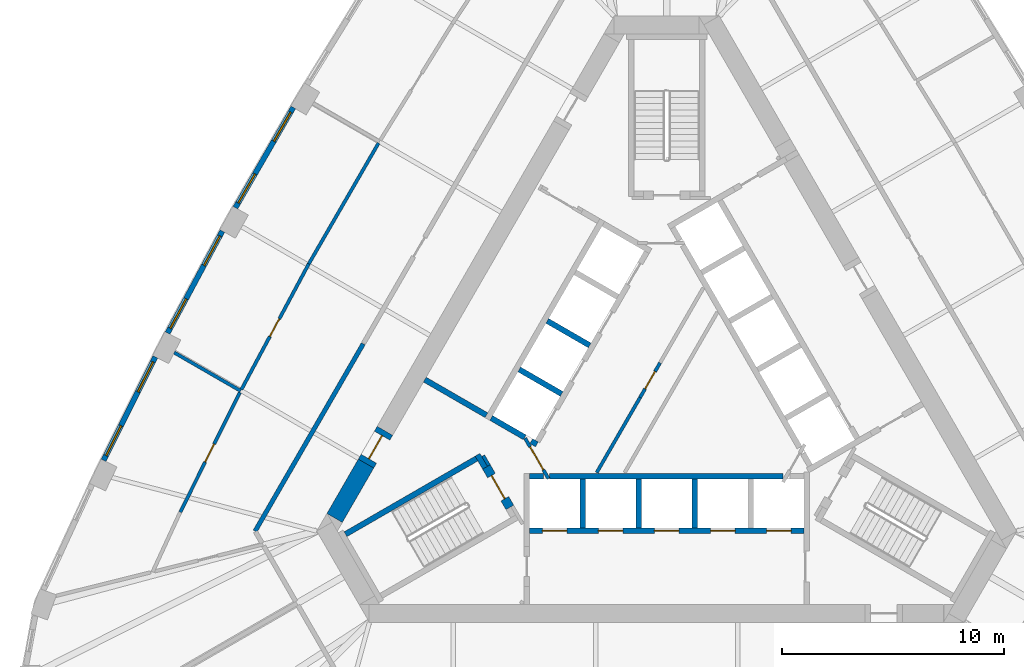
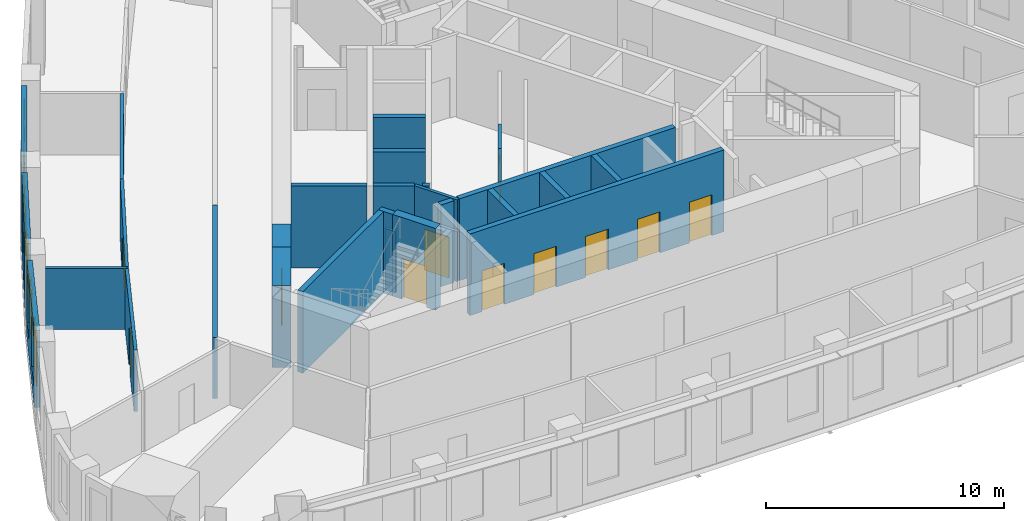
# One storey, part 4 of 10: 28 walls, 11 doors, 6 windows, 17 openings.
"""IFC4 building model written with IfcOpenShell, lengths in metres."""

import ifcopenshell
import ifcopenshell.guid

model = None  # the IFC model being written
_history = None  # IfcOwnerHistory: only IFC2X3 demands one
_inside = {}  # id of a spatial element -> (the spatial element, [elements in it])
_under = {}  # id of a project, library or spatial element -> (it, [spatial elements below it])
_declared = {}  # id of a project -> (the project, [libraries it declares])
_typed = {}  # id of a type object -> (the type object, [elements of that type])
_made_of = {}  # id of a material, layer set ... -> (it, [elements and type objects made of it])


def new_model(schema):
    """Start an empty IFC model of exactly this schema.

    Asked for "IFC4X3", IfcOpenShell would pick the latest addendum, in which some entities
    have other attributes; the version numbers below select the first issue.
    IFC2X3 requires an IfcOwnerHistory on every rooted entity: one is made here for all.
    """
    global model, _history
    if schema == "IFC4X3":
        model = ifcopenshell.file(schema_version=(4, 3, 0, 0))
    else:
        model = ifcopenshell.file(schema=schema)
    _inside.clear()
    _under.clear()
    _declared.clear()
    _typed.clear()
    _made_of.clear()
    _history = None
    if model.schema == "IFC2X3":
        org = make("IfcOrganization", Name="unknown")
        user = make(
            "IfcPersonAndOrganization",
            ThePerson=make("IfcPerson", FamilyName="unknown"),
            TheOrganization=org,
        )
        app = make(
            "IfcApplication",
            ApplicationDeveloper=org,
            Version="unknown",
            ApplicationFullName="unknown",
            ApplicationIdentifier="unknown",
        )
        _history = make(
            "IfcOwnerHistory",
            OwningUser=user,
            OwningApplication=app,
            ChangeAction="ADDED",
            CreationDate=0,
        )
    return model


def make(cls, **values):
    """One entity of the class cls with the attributes given. An attribute that is None is left unset."""
    return model.create_entity(
        cls, **{name: value for name, value in values.items() if value is not None}
    )


def rooted(cls, **values):
    """An entity with a GlobalId (a new one), such as an element, a storey or a relation."""
    return make(cls, GlobalId=ifcopenshell.guid.new(), OwnerHistory=_history, **values)


def si_unit(unit_type, name, prefix=None):
    """IfcSIUnit, for example si_unit("LENGTHUNIT", "METRE", prefix="MILLI")."""
    return make("IfcSIUnit", UnitType=unit_type, Prefix=prefix, Name=name)


def assignment(units):
    """IfcUnitAssignment: the units of a project."""
    return None if units is None else make("IfcUnitAssignment", Units=units)


def point(xyz):
    """IfcCartesianPoint."""
    return None if xyz is None else make("IfcCartesianPoint", Coordinates=xyz)


def direction(xyz):
    """IfcDirection."""
    return None if xyz is None else make("IfcDirection", DirectionRatios=xyz)


def frame(location, z_axis=None, x_axis=None):
    """IfcAxis2Placement3D, a coordinate frame: its origin and axes. An axis left out is left unset."""
    return make(
        "IfcAxis2Placement3D",
        Location=point(location),
        Axis=direction(z_axis),
        RefDirection=direction(x_axis),
    )


def frame_2d(location, x_axis=None):
    """IfcAxis2Placement2D, a coordinate frame in the plane: its origin and x axis."""
    return make(
        "IfcAxis2Placement2D", Location=point(location), RefDirection=direction(x_axis)
    )


def origin():
    """The frame at (0, 0, 0) with its axes left unset."""
    return frame((0.0, 0.0, 0.0))


def place(relative_to, where):
    """IfcLocalPlacement: puts the frame where relative to a parent placement (None: the world)."""
    return make(
        "IfcLocalPlacement", PlacementRelTo=relative_to, RelativePlacement=where
    )


def context(
    kind, dimensions, precision=None, world=None, true_north=None, identifier=None
):
    """IfcGeometricRepresentationContext, for example the 3D "Model" context."""
    return make(
        "IfcGeometricRepresentationContext",
        ContextIdentifier=identifier,
        ContextType=kind,
        CoordinateSpaceDimension=dimensions,
        Precision=precision,
        WorldCoordinateSystem=world,
        TrueNorth=true_north,
    )


def subcontext(parent, identifier, kind, view, scale=None):
    """IfcGeometricRepresentationSubContext, for example "Body" below "Model"."""
    return make(
        "IfcGeometricRepresentationSubContext",
        ContextIdentifier=identifier,
        ContextType=kind,
        ParentContext=parent,
        TargetScale=scale,
        TargetView=view,
    )


def project(units=None, contexts=None):
    """IfcProject with its units and contexts."""
    return rooted(
        "IfcProject",
        Name="project",
        RepresentationContexts=contexts,
        UnitsInContext=assignment(units),
    )


def spatial(cls, under=None, at=None, **own):
    """A site, building, storey or space (cls), placed at a placement, below another one or the project."""
    s = rooted(cls, ObjectPlacement=at, **own)
    if under is not None:
        _under.setdefault(under.id(), (under, []))[1].append(s)
    return s


def profile(cls, at=None, kind="AREA", **sizes):
    """A parametric profile (cls). Its sizes go by their IFC names, for example OverallWidth=200.0."""
    return make(cls, ProfileType=kind, Position=at, **sizes)


def rectangle(**sizes):
    """IfcRectangleProfileDef."""
    return profile("IfcRectangleProfileDef", **sizes)


def extrude(swept, where, along, depth):
    """IfcExtrudedAreaSolid: the profile swept, set in the frame where, extruded along a direction by depth."""
    return make(
        "IfcExtrudedAreaSolid",
        SweptArea=swept,
        Position=where,
        ExtrudedDirection=direction(along),
        Depth=depth,
    )


def shape(context_of_items, identifier, shape_type, items):
    """IfcShapeRepresentation: the items that make up one representation, for example the "Body"."""
    return make(
        "IfcShapeRepresentation",
        ContextOfItems=context_of_items,
        RepresentationIdentifier=identifier,
        RepresentationType=shape_type,
        Items=items,
    )


def material(Name=None, Category=None):
    """IfcMaterial."""
    return make("IfcMaterial", Name=Name, Category=Category)


def layer(
    of_material, thickness, ventilated=None, Name=None, Category=None, Priority=None
):
    """IfcMaterialLayer: one layer of a wall or slab, of a material (None: an air gap)."""
    return make(
        "IfcMaterialLayer",
        Material=of_material,
        LayerThickness=thickness,
        IsVentilated=ventilated,
        Name=Name,
        Category=Category,
        Priority=Priority,
    )


def layer_set(layers, Name=None):
    """IfcMaterialLayerSet."""
    return make("IfcMaterialLayerSet", MaterialLayers=layers, LayerSetName=Name)


def made_of(thing, what):
    """Note that an element or type object is made of a material, layer set ...; save() writes the relation."""
    if what is not None:
        _made_of.setdefault(what.id(), (what, []))[1].append(thing)
    return thing


def type_object(cls, material=None, **own):
    """A type object (cls), such as IfcWallType, which elements share."""
    return made_of(rooted(cls, **own), material)


def element(
    cls,
    number,
    at=None,
    inside=None,
    cuts=None,
    type_object=None,
    material=None,
    context=None,
    identifier="Body",
    shape_type=None,
    held_by="IfcProductDefinitionShape",
    body=None,
    shapes=None,
    **own,
):
    """One element of the class cls, such as IfcWall. Its Tag is "e" and its number.

    at: its placement. inside: the storey or other place that contains it. cuts: it is an
    opening in that element (IfcRelVoidsElement). A single representation is given by context,
    identifier, shape_type and body (its items); several are given by shapes. held_by: the class
    of the entity that holds the representations. save() writes the other relations.
    """
    e = rooted(cls, Tag="e%d" % number, ObjectPlacement=at, **own)
    if body is not None:
        shapes = [shape(context, identifier, shape_type, body)]
    if shapes is not None:
        e.Representation = make(held_by, Representations=shapes)
    if inside is not None:
        _inside.setdefault(inside.id(), (inside, []))[1].append(e)
    if cuts is not None:
        rooted(
            "IfcRelVoidsElement", RelatingBuildingElement=cuts, RelatedOpeningElement=e
        )
    if type_object is not None:
        _typed.setdefault(type_object.id(), (type_object, []))[1].append(e)
    return made_of(e, material)


def fill(opening, filler):
    """IfcRelFillsElement: the door or window that sits in an opening."""
    return rooted(
        "IfcRelFillsElement",
        RelatingOpeningElement=opening,
        RelatedBuildingElement=filler,
    )


def aggregate(whole, parts):
    """IfcRelAggregates: a whole, such as a stair, and the parts it consists of."""
    return rooted("IfcRelAggregates", RelatingObject=whole, RelatedObjects=parts)


def save(model, path):
    """Write the relations noted so far, then the file.

    IfcRelAggregates (storeys below a building ...), IfcRelContainedInSpatialStructure (elements
    in a storey), IfcRelDefinesByType, IfcRelAssociatesMaterial and IfcRelDeclares: one each for
    every whole, place, type object, material and project.
    """
    for whole, parts in _under.values():
        aggregate(whole, parts)
    for where, things in _inside.values():
        rooted(
            "IfcRelContainedInSpatialStructure",
            RelatedElements=things,
            RelatingStructure=where,
        )
    for kind, things in _typed.values():
        rooted("IfcRelDefinesByType", RelatedObjects=things, RelatingType=kind)
    for what, things in _made_of.values():
        rooted("IfcRelAssociatesMaterial", RelatedObjects=things, RelatingMaterial=what)
    for by, libraries in _declared.values():
        rooted("IfcRelDeclares", RelatingContext=by, RelatedDefinitions=libraries)
    model.write(path)


model = new_model("IFC4")

# Units and contexts
model_context = context("Model", 3, precision=1e-05, world=origin(), true_north=direction((0.0, 1.0)))
body_context = subcontext(model_context, "Body", "Model", "MODEL_VIEW")
ifc_project = project(units=[si_unit("LENGTHUNIT", "METRE"), si_unit("AREAUNIT", "SQUARE_METRE"), si_unit("VOLUMEUNIT", "CUBIC_METRE"), si_unit("PLANEANGLEUNIT", "RADIAN"), si_unit("MASSUNIT", "GRAM", prefix="KILO")], contexts=[model_context])

# Site, building, storey
site_placement = place(None, origin())
site = spatial("IfcSite", under=ifc_project, at=site_placement, CompositionType="ELEMENT")
building_placement = place(site_placement, origin())
building = spatial("IfcBuilding", under=site, at=building_placement, Name="Mestral Congress Tower", CompositionType="ELEMENT")
storey_placement = place(building_placement, frame((0.0, 0.0, 141.60009765625)))
storey = spatial("IfcBuildingStorey", under=building, at=storey_placement, Name="L33", CompositionType="ELEMENT", Elevation=141.60009765625)

# Walls
ifc_material_1 = material(Name="Fire-rated board partition")
ifc_layer_1 = layer(ifc_material_1, 0.14990234375)
ifc_layer_set_1 = layer_set([ifc_layer_1], Name="Fire-rated board partition")
wall_type_1 = type_object("IfcWallType", Name="Core partition 150", PredefinedType="PARTITIONING", material=ifc_layer_set_1)
wall_1_placement = place(storey_placement, frame((-8.251953125, -2.958251953125, 0.0), z_axis=(0.0, 0.0, 1.0), x_axis=(0.500174715838, -0.865924508047, 0.0)))
element("IfcWall", 1, at=wall_1_placement, inside=storey, type_object=wall_type_1, Name="L33 core wall", PredefinedType="PARTITIONING", context=body_context, shape_type="SweptSolid", body=[
    extrude(rectangle(XDim=0.513916015625, YDim=0.14990234375, at=frame_2d((0.2568359375, 0.0))), origin(), (0.0, 0.0, 1.0), 3.14990234375),
])
wall_2_placement = place(storey_placement, frame((-3.146728515625, -3.71826171875, 0.0), z_axis=(0.0, 0.0, 1.0), x_axis=(0.500010131483, 0.866019554291, 0.0)))
element("IfcWall", 2, at=wall_2_placement, inside=storey, type_object=wall_type_1, Name="L33 core wall", PredefinedType="PARTITIONING", context=body_context, shape_type="SweptSolid", body=[
    extrude(rectangle(XDim=3.8935546875, YDim=0.14990234375, at=frame_2d((1.94677734375, 0.0))), origin(), (0.0, 0.0, 1.0), 3.14990234375),
])

# Wall, opening, door
wall_3_placement = place(storey_placement, frame((-1.199951171875, -0.346435546875, 0.0), z_axis=(0.0, 0.0, 1.0), x_axis=(0.499961193289, 0.866047807691, 0.0)))
wall_3 = element("IfcWall", 3, at=wall_3_placement, inside=storey, type_object=wall_type_1, Name="L33 door wall", PredefinedType="PARTITIONING", context=body_context, shape_type="SweptSolid", body=[
    extrude(rectangle(XDim=1.800048828125, YDim=0.14990234375, at=frame_2d((0.89990234375, 0.0))), origin(), (0.0, 0.0, 1.0), 3.14990234375),
])
opening_1_placement = place(wall_3_placement, frame((0.449951171875, 0.0, 0.0)))
opening_1 = element("IfcOpeningElement", 4, at=opening_1_placement, cuts=wall_3, Name="Opening SD-HUB1", PredefinedType="OPENING", context=body_context, shape_type="SweptSolid", body=[
    extrude(rectangle(XDim=0.89990234375, YDim=2.10009765625, at=frame_2d((0.449951171875, 1.050048828125))), frame((0.0, 0.0849609375, 0.0), z_axis=(0.0, -1.0, 0.0), x_axis=(1.0, 0.0, 0.0)), (0.0, 0.0, 1.0), 0.169921875),
])
ifc_material_2 = material(Name="Fire-rated steel door set", Category="steel")
door_type_1 = type_object("IfcDoorType", Name="Core door SR 900x2100", OperationType="SINGLE_SWING_LEFT", PredefinedType="DOOR", material=ifc_material_2)
door_1_placement = place(opening_1_placement, origin())
door_1 = element("IfcDoor", 5, at=door_1_placement, inside=storey, type_object=door_type_1, Name="Door SD-HUB1", OperationType="SINGLE_SWING_LEFT", OverallHeight=2.10009765625, OverallWidth=0.89990234375, PredefinedType="DOOR", context=body_context, shape_type="SweptSolid", body=[
    extrude(rectangle(XDim=0.89990234375, YDim=2.10009765625, at=frame_2d((0.449951171875, 1.050048828125))), frame((0.0, 0.02490234375, 0.0), z_axis=(0.0, -1.0, 0.0), x_axis=(1.0, 0.0, 0.0)), (0.0, 0.0, 1.0), 0.050048828125),
])
fill(opening_1, door_1)

# Wall
ifc_material_3 = material(Name="Concrete C60/75", Category="concrete")
ifc_layer_2 = layer(ifc_material_3, 0.800048828125)
ifc_layer_set_2 = layer_set([ifc_layer_2], Name="Concrete C60/75")
wall_type_2 = type_object("IfcWallType", Name="Core wall RC 800", PredefinedType="SOLIDWALL", material=ifc_layer_set_2)
wall_4_placement = place(storey_placement, frame((-13.518310546875, -3.314208984375, 0.0), z_axis=(0.0, 0.0, 1.0), x_axis=(-0.499969377405, -0.866043083026, 0.0)))
element("IfcWall", 6, at=wall_4_placement, inside=storey, type_object=wall_type_2, Name="L33 core wall", PredefinedType="SOLIDWALL", context=body_context, shape_type="SweptSolid", body=[
    extrude(rectangle(XDim=2.824462890625, YDim=0.800048828125, at=frame_2d((1.412109375, 0.0))), origin(), (0.0, 0.0, 1.0), 4.199951171875),
])

# Wall, opening, door
wall_5_placement = place(storey_placement, frame((-13.518310546875, -3.314208984375, 0.0), z_axis=(0.0, 0.0, 1.0), x_axis=(0.500062241894, 0.865989465428, 0.0)))
wall_5 = element("IfcWall", 7, at=wall_5_placement, inside=storey, type_object=wall_type_2, Name="L33 door wall", PredefinedType="SOLIDWALL", context=body_context, shape_type="SweptSolid", body=[
    extrude(rectangle(XDim=1.699951171875, YDim=0.800048828125, at=frame_2d((0.85009765625, 0.0))), origin(), (0.0, 0.0, 1.0), 4.199951171875),
])
opening_2_placement = place(wall_5_placement, frame((0.25, 0.0, 0.0)))
opening_2 = element("IfcOpeningElement", 8, at=opening_2_placement, cuts=wall_5, Name="Opening XD3", PredefinedType="OPENING", context=body_context, shape_type="SweptSolid", body=[
    extrude(rectangle(XDim=1.199951171875, YDim=2.10009765625, at=frame_2d((0.60009765625, 1.050048828125))), frame((0.0, 0.409912109375, 0.0), z_axis=(0.0, -1.0, 0.0), x_axis=(1.0, 0.0, 0.0)), (0.0, 0.0, 1.0), 0.820068359375),
])
door_type_2 = type_object("IfcDoorType", Name="Core door XD 1200x2100", OperationType="SINGLE_SWING_LEFT", PredefinedType="DOOR", material=ifc_material_2)
door_2_placement = place(opening_2_placement, origin())
door_2 = element("IfcDoor", 9, at=door_2_placement, inside=storey, type_object=door_type_2, Name="Door XD3", OperationType="SINGLE_SWING_LEFT", OverallHeight=2.10009765625, OverallWidth=1.199951171875, PredefinedType="DOOR", context=body_context, shape_type="SweptSolid", body=[
    extrude(rectangle(XDim=1.199951171875, YDim=2.10009765625, at=frame_2d((0.60009765625, 1.050048828125))), frame((0.0, 0.02490234375, 0.0), z_axis=(0.0, -1.0, 0.0), x_axis=(1.0, 0.0, 0.0)), (0.0, 0.0, 1.0), 0.050048828125),
])
fill(opening_2, door_2)

# Wall, openings, windows
ifc_material_4 = material(Name="Precast concrete C40/50 with limestone facing", Category="masonry")
ifc_layer_3 = layer(ifc_material_4, 0.239990234375)
ifc_layer_set_3 = layer_set([ifc_layer_3], Name="Precast concrete C40/50 with limestone facing")
wall_type_3 = type_object("IfcWallType", Name="Facade stone wall 240", PredefinedType="SOLIDWALL", material=ifc_layer_set_3)
wall_6_placement = place(storey_placement, frame((-16.788818359375, 12.697265625, 0.0), z_axis=(0.0, 0.0, 1.0), x_axis=(-0.500009456303, -0.866019944116, 0.0)))
wall_6 = element("IfcWall", 10, at=wall_6_placement, inside=storey, type_object=wall_type_3, Name="Facade wall F2-03", PredefinedType="SOLIDWALL", context=body_context, shape_type="SweptSolid", body=[
    extrude(rectangle(XDim=5.20361328125, YDim=0.239990234375, at=frame_2d((2.601806640625, 0.0))), origin(), (0.0, 0.0, 1.0), 3.949951171875),
])
opening_3_placement = place(wall_6_placement, frame((0.248291015625, 0.0, 0.89990234375)))
opening_3 = element("IfcOpeningElement", 11, at=opening_3_placement, cuts=wall_6, Name="Opening W4", PredefinedType="OPENING", context=body_context, shape_type="SweptSolid", body=[
    extrude(rectangle(XDim=1.5, YDim=2.550048828125, at=frame_2d((0.75, 1.27490234375))), frame((0.0, 0.1298828125, 0.0), z_axis=(0.0, -1.0, 0.0), x_axis=(1.0, 0.0, 0.0)), (0.0, 0.0, 1.0), 0.260009765625),
])
opening_4_placement = place(wall_6_placement, frame((3.455078125, 0.0, 0.89990234375)))
opening_4 = element("IfcOpeningElement", 12, at=opening_4_placement, cuts=wall_6, Name="Opening W4", PredefinedType="OPENING", context=body_context, shape_type="SweptSolid", body=[
    extrude(rectangle(XDim=1.5, YDim=2.550048828125, at=frame_2d((0.75, 1.27490234375))), frame((0.0, 0.1298828125, 0.0), z_axis=(0.0, -1.0, 0.0), x_axis=(1.0, 0.0, 0.0)), (0.0, 0.0, 1.0), 0.260009765625),
])
ifc_material_5 = material(Name="Clear low-emissivity double glazing", Category="glass")
window_type = type_object("IfcWindowType", Name="Facade punched window 1500 x 2550 sill 900", PartitioningType="SINGLE_PANEL", PredefinedType="WINDOW", material=ifc_material_5)
window_1_placement = place(opening_3_placement, origin())
window_1 = element("IfcWindow", 13, at=window_1_placement, inside=storey, type_object=window_type, Name="Window F2-03a", OverallHeight=2.550048828125, OverallWidth=1.5, PartitioningType="SINGLE_PANEL", PredefinedType="WINDOW", context=body_context, shape_type="SweptSolid", body=[
    extrude(rectangle(XDim=1.5, YDim=2.550048828125, at=frame_2d((0.75, 1.27490234375))), frame((0.0, 0.0400390625, 0.0), z_axis=(0.0, -1.0, 0.0), x_axis=(1.0, 0.0, 0.0)), (0.0, 0.0, 1.0), 0.06005859375),
])
fill(opening_3, window_1)
window_2_placement = place(opening_4_placement, origin())
window_2 = element("IfcWindow", 14, at=window_2_placement, inside=storey, type_object=window_type, Name="Window F2-03b", OverallHeight=2.550048828125, OverallWidth=1.5, PartitioningType="SINGLE_PANEL", PredefinedType="WINDOW", context=body_context, shape_type="SweptSolid", body=[
    extrude(rectangle(XDim=1.5, YDim=2.550048828125, at=frame_2d((0.75, 1.27490234375))), frame((0.0, 0.0400390625, 0.0), z_axis=(0.0, -1.0, 0.0), x_axis=(1.0, 0.0, 0.0)), (0.0, 0.0, 1.0), 0.06005859375),
])
fill(opening_4, window_2)

wall_7_placement = place(storey_placement, frame((-19.976806640625, 7.138671875, 0.0), z_axis=(0.0, 0.0, 1.0), x_axis=(-0.473349833294, -0.880874528704, 0.0)))
wall_7 = element("IfcWall", 15, at=wall_7_placement, inside=storey, type_object=wall_type_3, Name="Facade wall F2-04", PredefinedType="SOLIDWALL", context=body_context, shape_type="SweptSolid", body=[
    extrude(rectangle(XDim=5.20361328125, YDim=0.239990234375, at=frame_2d((2.601806640625, 0.0))), origin(), (0.0, 0.0, 1.0), 3.949951171875),
])
opening_5_placement = place(wall_7_placement, frame((0.248291015625, 0.0, 0.89990234375)))
opening_5 = element("IfcOpeningElement", 16, at=opening_5_placement, cuts=wall_7, Name="Opening W4", PredefinedType="OPENING", context=body_context, shape_type="SweptSolid", body=[
    extrude(rectangle(XDim=1.5, YDim=2.550048828125, at=frame_2d((0.75, 1.27490234375))), frame((0.0, 0.1298828125, 0.0), z_axis=(0.0, -1.0, 0.0), x_axis=(1.0, 0.0, 0.0)), (0.0, 0.0, 1.0), 0.260009765625),
])
opening_6_placement = place(wall_7_placement, frame((3.455078125, 0.0, 0.89990234375)))
opening_6 = element("IfcOpeningElement", 17, at=opening_6_placement, cuts=wall_7, Name="Opening W4", PredefinedType="OPENING", context=body_context, shape_type="SweptSolid", body=[
    extrude(rectangle(XDim=1.5, YDim=2.550048828125, at=frame_2d((0.75, 1.27490234375))), frame((0.0, 0.1298828125, 0.0), z_axis=(0.0, -1.0, 0.0), x_axis=(1.0, 0.0, 0.0)), (0.0, 0.0, 1.0), 0.260009765625),
])
window_3_placement = place(opening_5_placement, origin())
window_3 = element("IfcWindow", 18, at=window_3_placement, inside=storey, type_object=window_type, Name="Window F2-04a", OverallHeight=2.550048828125, OverallWidth=1.5, PartitioningType="SINGLE_PANEL", PredefinedType="WINDOW", context=body_context, shape_type="SweptSolid", body=[
    extrude(rectangle(XDim=1.5, YDim=2.550048828125, at=frame_2d((0.75, 1.27490234375))), frame((0.0, 0.0400390625, 0.0), z_axis=(0.0, -1.0, 0.0), x_axis=(1.0, 0.0, 0.0)), (0.0, 0.0, 1.0), 0.06005859375),
])
fill(opening_5, window_3)
window_4_placement = place(opening_6_placement, origin())
window_4 = element("IfcWindow", 19, at=window_4_placement, inside=storey, type_object=window_type, Name="Window F2-04b", OverallHeight=2.550048828125, OverallWidth=1.5, PartitioningType="SINGLE_PANEL", PredefinedType="WINDOW", context=body_context, shape_type="SweptSolid", body=[
    extrude(rectangle(XDim=1.5, YDim=2.550048828125, at=frame_2d((0.75, 1.27490234375))), frame((0.0, 0.0400390625, 0.0), z_axis=(0.0, -1.0, 0.0), x_axis=(1.0, 0.0, 0.0)), (0.0, 0.0, 1.0), 0.06005859375),
])
fill(opening_6, window_4)

wall_8_placement = place(storey_placement, frame((-22.993896484375, 1.485107421875, 0.0), z_axis=(0.0, 0.0, 1.0), x_axis=(-0.446256171312, -0.8949052629, 0.0)))
wall_8 = element("IfcWall", 20, at=wall_8_placement, inside=storey, type_object=wall_type_3, Name="Facade wall F2-05", PredefinedType="SOLIDWALL", context=body_context, shape_type="SweptSolid", body=[
    extrude(rectangle(XDim=5.203369140625, YDim=0.239990234375, at=frame_2d((2.6015625, 0.0))), origin(), (0.0, 0.0, 1.0), 3.949951171875),
])
opening_7_placement = place(wall_8_placement, frame((0.248291015625, 0.0, 0.89990234375)))
opening_7 = element("IfcOpeningElement", 21, at=opening_7_placement, cuts=wall_8, Name="Opening W4", PredefinedType="OPENING", context=body_context, shape_type="SweptSolid", body=[
    extrude(rectangle(XDim=1.5, YDim=2.550048828125, at=frame_2d((0.75, 1.27490234375))), frame((0.0, 0.1298828125, 0.0), z_axis=(0.0, -1.0, 0.0), x_axis=(1.0, 0.0, 0.0)), (0.0, 0.0, 1.0), 0.260009765625),
])
opening_8_placement = place(wall_8_placement, frame((3.455078125, 0.0, 0.89990234375)))
opening_8 = element("IfcOpeningElement", 22, at=opening_8_placement, cuts=wall_8, Name="Opening W4", PredefinedType="OPENING", context=body_context, shape_type="SweptSolid", body=[
    extrude(rectangle(XDim=1.5, YDim=2.550048828125, at=frame_2d((0.75, 1.27490234375))), frame((0.0, 0.1298828125, 0.0), z_axis=(0.0, -1.0, 0.0), x_axis=(1.0, 0.0, 0.0)), (0.0, 0.0, 1.0), 0.260009765625),
])
window_5_placement = place(opening_7_placement, origin())
window_5 = element("IfcWindow", 23, at=window_5_placement, inside=storey, type_object=window_type, Name="Window F2-05a", OverallHeight=2.550048828125, OverallWidth=1.5, PartitioningType="SINGLE_PANEL", PredefinedType="WINDOW", context=body_context, shape_type="SweptSolid", body=[
    extrude(rectangle(XDim=1.5, YDim=2.550048828125, at=frame_2d((0.75, 1.27490234375))), frame((0.0, 0.0400390625, 0.0), z_axis=(0.0, -1.0, 0.0), x_axis=(1.0, 0.0, 0.0)), (0.0, 0.0, 1.0), 0.06005859375),
])
fill(opening_7, window_5)
window_6_placement = place(opening_8_placement, origin())
window_6 = element("IfcWindow", 24, at=window_6_placement, inside=storey, type_object=window_type, Name="Window F2-05b", OverallHeight=2.550048828125, OverallWidth=1.5, PartitioningType="SINGLE_PANEL", PredefinedType="WINDOW", context=body_context, shape_type="SweptSolid", body=[
    extrude(rectangle(XDim=1.5, YDim=2.550048828125, at=frame_2d((0.75, 1.27490234375))), frame((0.0, 0.0400390625, 0.0), z_axis=(0.0, -1.0, 0.0), x_axis=(1.0, 0.0, 0.0)), (0.0, 0.0, 1.0), 0.06005859375),
])
fill(opening_8, window_6)

# Walls
ifc_material_6 = material(Name="Plasterboard partition on steel studs", Category="steel")
ifc_layer_4 = layer(ifc_material_6, 0.14990234375)
ifc_layer_set_4 = layer_set([ifc_layer_4], Name="Plasterboard partition on steel studs")
wall_type_4 = type_object("IfcWallType", Name="Office partition 150", PredefinedType="PARTITIONING", material=ifc_layer_set_4)
wall_9_placement = place(storey_placement, frame((-19.15380859375, -0.04638671875, 0.0), z_axis=(0.0, 0.0, 1.0), x_axis=(-0.866051136095, 0.499955427682, 0.0)))
element("IfcWall", 25, at=wall_9_placement, inside=storey, type_object=wall_type_4, Name="Partition", PredefinedType="PARTITIONING", context=body_context, shape_type="SweptSolid", body=[
    extrude(rectangle(XDim=3.447021484375, YDim=0.14990234375, at=frame_2d((1.7236328125, 0.0))), origin(), (0.0, 0.0, 1.0), 3.14990234375),
])
wall_10_placement = place(storey_placement, frame((-12.9541015625, 11.09521484375, 0.0), z_axis=(0.0, 0.0, 1.0), x_axis=(-0.500282785331, -0.865862076027, 0.0)))
element("IfcWall", 26, at=wall_10_placement, inside=storey, type_object=wall_type_4, Name="Partition", PredefinedType="PARTITIONING", context=body_context, shape_type="SweptSolid", body=[
    extrude(rectangle(XDim=6.272705078125, YDim=0.14990234375, at=frame_2d((3.13623046875, 0.0))), origin(), (0.0, 0.0, 1.0), 3.14990234375),
])

# Wall, opening, door
wall_11_placement = place(storey_placement, frame((-19.118408203125, 0.01953125, 0.0), z_axis=(0.0, 0.0, 1.0), x_axis=(0.47251230182, 0.88132407469, 0.0)))
wall_11 = element("IfcWall", 27, at=wall_11_placement, inside=storey, type_object=wall_type_4, Name="Partition", PredefinedType="PARTITIONING", context=body_context, shape_type="SweptSolid", body=[
    extrude(rectangle(XDim=6.404296875, YDim=0.14990234375, at=frame_2d((3.2021484375, 0.0))), origin(), (0.0, 0.0, 1.0), 3.14990234375),
])
opening_9_placement = place(wall_11_placement, frame((2.7041015625, 0.0, 0.0)))
opening_9 = element("IfcOpeningElement", 28, at=opening_9_placement, cuts=wall_11, Name="Opening O01-015", PredefinedType="OPENING", context=body_context, shape_type="SweptSolid", body=[
    extrude(rectangle(XDim=0.89990234375, YDim=2.10009765625, at=frame_2d((0.449951171875, 1.050048828125))), frame((0.0, 0.0849609375, 0.0), z_axis=(0.0, -1.0, 0.0), x_axis=(1.0, 0.0, 0.0)), (0.0, 0.0, 1.0), 0.169921875),
])
ifc_material_7 = material(Name="Timber door set", Category="wood")
door_type_3 = type_object("IfcDoorType", Name="Office door 900x2100", OperationType="SINGLE_SWING_LEFT", PredefinedType="DOOR", material=ifc_material_7)
door_3_placement = place(opening_9_placement, origin())
door_3 = element("IfcDoor", 29, at=door_3_placement, inside=storey, type_object=door_type_3, Name="Door O01-015", OperationType="SINGLE_SWING_LEFT", OverallHeight=2.10009765625, OverallWidth=0.89990234375, PredefinedType="DOOR", context=body_context, shape_type="SweptSolid", body=[
    extrude(rectangle(XDim=0.89990234375, YDim=2.10009765625, at=frame_2d((0.449951171875, 1.050048828125))), frame((0.0, 0.02490234375, 0.0), z_axis=(0.0, -1.0, 0.0), x_axis=(1.0, 0.0, 0.0)), (0.0, 0.0, 1.0), 0.050048828125),
])
fill(opening_9, door_3)

wall_12_placement = place(storey_placement, frame((-21.869384765625, -5.492919921875, 0.0), z_axis=(0.0, 0.0, 1.0), x_axis=(0.44618972677, 0.894938393257, 0.0)))
wall_12 = element("IfcWall", 30, at=wall_12_placement, inside=storey, type_object=wall_type_4, Name="Partition", PredefinedType="PARTITIONING", context=body_context, shape_type="SweptSolid", body=[
    extrude(rectangle(XDim=6.0107421875, YDim=0.14990234375, at=frame_2d((3.00537109375, 0.0))), origin(), (0.0, 0.0, 1.0), 3.14990234375),
])
opening_10_placement = place(wall_12_placement, frame((2.5107421875, 0.0, 0.0)))
opening_10 = element("IfcOpeningElement", 31, at=opening_10_placement, cuts=wall_12, Name="Opening O01-016", PredefinedType="OPENING", context=body_context, shape_type="SweptSolid", body=[
    extrude(rectangle(XDim=0.89990234375, YDim=2.10009765625, at=frame_2d((0.449951171875, 1.050048828125))), frame((0.0, 0.0849609375, 0.0), z_axis=(0.0, -1.0, 0.0), x_axis=(1.0, 0.0, 0.0)), (0.0, 0.0, 1.0), 0.169921875),
])
door_4_placement = place(opening_10_placement, origin())
door_4 = element("IfcDoor", 32, at=door_4_placement, inside=storey, type_object=door_type_3, Name="Door O01-016", OperationType="SINGLE_SWING_LEFT", OverallHeight=2.10009765625, OverallWidth=0.89990234375, PredefinedType="DOOR", context=body_context, shape_type="SweptSolid", body=[
    extrude(rectangle(XDim=0.89990234375, YDim=2.10009765625, at=frame_2d((0.449951171875, 1.050048828125))), frame((0.0, 0.02490234375, 0.0), z_axis=(0.0, -1.0, 0.0), x_axis=(1.0, 0.0, 0.0)), (0.0, 0.0, 1.0), 0.050048828125),
])
fill(opening_10, door_4)

# Walls
ifc_material_8 = material(Name="Dense masonry wall, plastered", Category="masonry")
ifc_layer_5 = layer(ifc_material_8, 0.199951171875)
ifc_layer_set_5 = layer_set([ifc_layer_5], Name="Dense masonry wall, plastered")
wall_type_5 = type_object("IfcWallType", Name="Office tenancy wall 200", PredefinedType="PARTITIONING", material=ifc_layer_set_5)
wall_13_placement = place(storey_placement, frame((-13.643310546875, 2.06884765625, 0.0), z_axis=(0.0, 0.0, 1.0), x_axis=(-0.500012305324, -0.866018299186, 0.0)))
element("IfcWall", 33, at=wall_13_placement, inside=storey, type_object=wall_type_5, Name="Tenancy wall", PredefinedType="PARTITIONING", context=body_context, shape_type="SweptSolid", body=[
    extrude(rectangle(XDim=9.721435546875, YDim=0.199951171875, at=frame_2d((4.86083984375, 0.0))), origin(), (0.0, 0.0, 1.0), 3.14990234375),
])
ifc_layer_6 = layer(ifc_material_3, 0.25)
ifc_layer_set_6 = layer_set([ifc_layer_6], Name="Concrete C60/75")
wall_type_6 = type_object("IfcWallType", Name="Shaft wall RC 250", PredefinedType="SOLIDWALL", material=ifc_layer_set_6)
wall_14_placement = place(storey_placement, frame((-5.25927734375, -3.875, 0.0), z_axis=(0.0, 0.0, 1.0), x_axis=(1.0, 0.0, 0.0)))
element("IfcWall", 34, at=wall_14_placement, inside=storey, type_object=wall_type_6, Name="L33 core wall", PredefinedType="SOLIDWALL", context=body_context, shape_type="SweptSolid", body=[
    extrude(rectangle(XDim=10.488525390625, YDim=0.25, at=frame_2d((5.244140625, 0.0))), origin(), (0.0, 0.0, 1.0), 4.199951171875),
])
for number, where, z_axis, x_axis, name in (
    (35, (1.260009765625, -4.0, 0.0), (0.0, 0.0, 1.0), (0.0, -1.0, 0.0), "L33 core wall"),
    (36, (-1.260009765625, -4.0, 0.0), (0.0, 0.0, 1.0), (0.0, -1.0, 0.0), "L33 core wall"),
    (37, (-3.780029296875, -4.0, 0.0), (0.0, 0.0, 1.0), (0.0, -1.0, 0.0), "L33 core wall"),
):
    element("IfcWall", number, at=place(storey_placement, frame(where, z_axis=z_axis, x_axis=x_axis)), inside=storey, type_object=wall_type_6, Name=name, PredefinedType="SOLIDWALL", context=body_context, shape_type="SweptSolid", body=[
        extrude(rectangle(XDim=2.199951171875, YDim=0.25, at=frame_2d((1.10009765625, 0.0))), origin(), (0.0, 0.0, 1.0), 4.199951171875),
    ])
wall_15_placement = place(storey_placement, frame((-6.175048828125, -3.875, 0.0), z_axis=(0.0, 0.0, 1.0), x_axis=(1.0, 0.0, 0.0)))
element("IfcWall", 38, at=wall_15_placement, inside=storey, type_object=wall_type_6, Name="L33 core wall", PredefinedType="SOLIDWALL", context=body_context, shape_type="SweptSolid", body=[
    extrude(rectangle(XDim=0.63671875, YDim=0.25, at=frame_2d((0.318359375, 0.0))), origin(), (0.0, 0.0, 1.0), 4.199951171875),
])
for number, where, z_axis, x_axis, name in (
    (39, (-5.369384765625, 3.10009765625, 0.0), (0.0, 0.0, 1.0), (0.866008176907, -0.50002983664, 0.0), "L33 core wall"),
    (40, (-4.72412109375, -0.182373046875, 0.0), (0.0, 0.0, 1.0), (-0.866008176907, 0.50002983664, 0.0), "L33 core wall"),
):
    element("IfcWall", number, at=place(storey_placement, frame(where, z_axis=z_axis, x_axis=x_axis)), inside=storey, type_object=wall_type_6, Name=name, PredefinedType="SOLIDWALL", context=body_context, shape_type="SweptSolid", body=[
        extrude(rectangle(XDim=2.199951171875, YDim=0.25, at=frame_2d((1.10009765625, 0.0))), origin(), (0.0, 0.0, 1.0), 4.199951171875),
    ])
wall_16_placement = place(storey_placement, frame((-6.088134765625, -2.3046875, 0.0), z_axis=(0.0, 0.0, 1.0), x_axis=(0.866059450854, -0.499941024108, 0.0)))
element("IfcWall", 41, at=wall_16_placement, inside=storey, type_object=wall_type_6, Name="L33 core wall", PredefinedType="SOLIDWALL", context=body_context, shape_type="SweptSolid", body=[
    extrude(rectangle(XDim=0.2900390625, YDim=0.25, at=frame_2d((0.14501953125, 0.0))), origin(), (0.0, 0.0, 1.0), 4.199951171875),
])
wall_17_placement = place(storey_placement, frame((-7.889404296875, -1.2646484375, 0.0), z_axis=(0.0, 0.0, 1.0), x_axis=(0.865986741702, -0.500066958712, 0.0)))
element("IfcWall", 42, at=wall_17_placement, inside=storey, type_object=wall_type_6, Name="L33 core wall", PredefinedType="SOLIDWALL", context=body_context, shape_type="SweptSolid", body=[
    extrude(rectangle(XDim=1.738037109375, YDim=0.25, at=frame_2d((0.869140625, 0.0))), origin(), (0.0, 0.0, 1.0), 4.199951171875),
])
wall_18_placement = place(storey_placement, frame((-8.10595703125, -1.139892578125, 0.0), z_axis=(0.0, 0.0, 1.0), x_axis=(-0.866008981251, 0.500028443584, 0.0)))
element("IfcWall", 43, at=wall_18_placement, inside=storey, type_object=wall_type_6, Name="L33 core wall", PredefinedType="SOLIDWALL", context=body_context, shape_type="SweptSolid", body=[
    extrude(rectangle(XDim=3.199951171875, YDim=0.25, at=frame_2d((1.60009765625, 0.0))), origin(), (0.0, 0.0, 1.0), 4.199951171875),
])

# Wall, openings, doors
wall_19_placement = place(storey_placement, frame((-6.175048828125, -6.324951171875, 0.0), z_axis=(0.0, 0.0, 1.0), x_axis=(1.0, 0.0, 0.0)))
wall_19 = element("IfcWall", 44, at=wall_19_placement, inside=storey, type_object=wall_type_6, Name="L33 door wall", PredefinedType="SOLIDWALL", context=body_context, shape_type="SweptSolid", body=[
    extrude(rectangle(XDim=12.35009765625, YDim=0.25, at=frame_2d((6.175048828125, 0.0))), origin(), (0.0, 0.0, 1.0), 4.199951171875),
])
opening_11_placement = place(wall_19_placement, frame((0.5849609375, 0.0, 0.0)))
opening_11 = element("IfcOpeningElement", 45, at=opening_11_placement, cuts=wall_19, Name="Opening LD-SOB1", PredefinedType="OPENING", context=body_context, shape_type="SweptSolid", body=[
    extrude(rectangle(XDim=1.10009765625, YDim=2.10009765625, at=frame_2d((0.550048828125, 1.050048828125))), frame((0.0, 0.135009765625, 0.0), z_axis=(0.0, -1.0, 0.0), x_axis=(1.0, 0.0, 0.0)), (0.0, 0.0, 1.0), 0.27001953125),
])
opening_12_placement = place(wall_19_placement, frame((3.10498046875, 0.0, 0.0)))
opening_12 = element("IfcOpeningElement", 46, at=opening_12_placement, cuts=wall_19, Name="Opening LD-SOB2", PredefinedType="OPENING", context=body_context, shape_type="SweptSolid", body=[
    extrude(rectangle(XDim=1.10009765625, YDim=2.10009765625, at=frame_2d((0.550048828125, 1.050048828125))), frame((0.0, 0.135009765625, 0.0), z_axis=(0.0, -1.0, 0.0), x_axis=(1.0, 0.0, 0.0)), (0.0, 0.0, 1.0), 0.27001953125),
])
opening_13_placement = place(wall_19_placement, frame((5.625, 0.0, 0.0)))
opening_13 = element("IfcOpeningElement", 47, at=opening_13_placement, cuts=wall_19, Name="Opening LD-SOB3", PredefinedType="OPENING", context=body_context, shape_type="SweptSolid", body=[
    extrude(rectangle(XDim=1.10009765625, YDim=2.10009765625, at=frame_2d((0.550048828125, 1.050048828125))), frame((0.0, 0.135009765625, 0.0), z_axis=(0.0, -1.0, 0.0), x_axis=(1.0, 0.0, 0.0)), (0.0, 0.0, 1.0), 0.27001953125),
])
opening_14_placement = place(wall_19_placement, frame((8.14501953125, 0.0, 0.0)))
opening_14 = element("IfcOpeningElement", 48, at=opening_14_placement, cuts=wall_19, Name="Opening LD-SOB4", PredefinedType="OPENING", context=body_context, shape_type="SweptSolid", body=[
    extrude(rectangle(XDim=1.10009765625, YDim=2.10009765625, at=frame_2d((0.550048828125, 1.050048828125))), frame((0.0, 0.135009765625, 0.0), z_axis=(0.0, -1.0, 0.0), x_axis=(1.0, 0.0, 0.0)), (0.0, 0.0, 1.0), 0.27001953125),
])
opening_15_placement = place(wall_19_placement, frame((10.6650390625, 0.0, 0.0)))
opening_15 = element("IfcOpeningElement", 49, at=opening_15_placement, cuts=wall_19, Name="Opening LD-SOB5", PredefinedType="OPENING", context=body_context, shape_type="SweptSolid", body=[
    extrude(rectangle(XDim=1.10009765625, YDim=2.10009765625, at=frame_2d((0.550048828125, 1.050048828125))), frame((0.0, 0.135009765625, 0.0), z_axis=(0.0, -1.0, 0.0), x_axis=(1.0, 0.0, 0.0)), (0.0, 0.0, 1.0), 0.27001953125),
])
door_type_4 = type_object("IfcDoorType", Name="Core door LD 1100x2100", OperationType="DOUBLE_DOOR_SLIDING", PredefinedType="DOOR", material=ifc_material_2)
door_5_placement = place(opening_11_placement, origin())
door_5 = element("IfcDoor", 50, at=door_5_placement, inside=storey, type_object=door_type_4, Name="Door LD-SOB1", OperationType="DOUBLE_DOOR_SLIDING", OverallHeight=2.10009765625, OverallWidth=1.10009765625, PredefinedType="DOOR", context=body_context, shape_type="SweptSolid", body=[
    extrude(rectangle(XDim=1.10009765625, YDim=2.10009765625, at=frame_2d((0.550048828125, 1.050048828125))), frame((0.0, 0.02490234375, 0.0), z_axis=(0.0, -1.0, 0.0), x_axis=(1.0, 0.0, 0.0)), (0.0, 0.0, 1.0), 0.050048828125),
])
fill(opening_11, door_5)
door_6_placement = place(opening_12_placement, origin())
door_6 = element("IfcDoor", 51, at=door_6_placement, inside=storey, type_object=door_type_4, Name="Door LD-SOB2", OperationType="DOUBLE_DOOR_SLIDING", OverallHeight=2.10009765625, OverallWidth=1.10009765625, PredefinedType="DOOR", context=body_context, shape_type="SweptSolid", body=[
    extrude(rectangle(XDim=1.10009765625, YDim=2.10009765625, at=frame_2d((0.550048828125, 1.050048828125))), frame((0.0, 0.02490234375, 0.0), z_axis=(0.0, -1.0, 0.0), x_axis=(1.0, 0.0, 0.0)), (0.0, 0.0, 1.0), 0.050048828125),
])
fill(opening_12, door_6)
door_7_placement = place(opening_13_placement, origin())
door_7 = element("IfcDoor", 52, at=door_7_placement, inside=storey, type_object=door_type_4, Name="Door LD-SOB3", OperationType="DOUBLE_DOOR_SLIDING", OverallHeight=2.10009765625, OverallWidth=1.10009765625, PredefinedType="DOOR", context=body_context, shape_type="SweptSolid", body=[
    extrude(rectangle(XDim=1.10009765625, YDim=2.10009765625, at=frame_2d((0.550048828125, 1.050048828125))), frame((0.0, 0.02490234375, 0.0), z_axis=(0.0, -1.0, 0.0), x_axis=(1.0, 0.0, 0.0)), (0.0, 0.0, 1.0), 0.050048828125),
])
fill(opening_13, door_7)
door_8_placement = place(opening_14_placement, origin())
door_8 = element("IfcDoor", 53, at=door_8_placement, inside=storey, type_object=door_type_4, Name="Door LD-SOB4", OperationType="DOUBLE_DOOR_SLIDING", OverallHeight=2.10009765625, OverallWidth=1.10009765625, PredefinedType="DOOR", context=body_context, shape_type="SweptSolid", body=[
    extrude(rectangle(XDim=1.10009765625, YDim=2.10009765625, at=frame_2d((0.550048828125, 1.050048828125))), frame((0.0, 0.02490234375, 0.0), z_axis=(0.0, -1.0, 0.0), x_axis=(1.0, 0.0, 0.0)), (0.0, 0.0, 1.0), 0.050048828125),
])
fill(opening_14, door_8)
door_9_placement = place(opening_15_placement, origin())
door_9 = element("IfcDoor", 54, at=door_9_placement, inside=storey, type_object=door_type_4, Name="Door LD-SOB5", OperationType="DOUBLE_DOOR_SLIDING", OverallHeight=2.10009765625, OverallWidth=1.10009765625, PredefinedType="DOOR", context=body_context, shape_type="SweptSolid", body=[
    extrude(rectangle(XDim=1.10009765625, YDim=2.10009765625, at=frame_2d((0.550048828125, 1.050048828125))), frame((0.0, 0.02490234375, 0.0), z_axis=(0.0, -1.0, 0.0), x_axis=(1.0, 0.0, 0.0)), (0.0, 0.0, 1.0), 0.050048828125),
])
fill(opening_15, door_9)

# Wall, opening, door
ifc_layer_7 = layer(ifc_material_3, 0.14990234375)
ifc_layer_set_7 = layer_set([ifc_layer_7], Name="Concrete C60/75")
wall_type_7 = type_object("IfcWallType", Name="Shaft wall RC 250 door-wall 150", PredefinedType="SOLIDWALL", material=ifc_layer_set_7)
wall_20_placement = place(storey_placement, frame((-5.3173828125, -3.98974609375, 0.0), z_axis=(0.0, 0.0, 1.0), x_axis=(-0.500027713859, 0.866009402589, 0.0)))
wall_20 = element("IfcWall", 55, at=wall_20_placement, inside=storey, type_object=wall_type_7, Name="L33 door wall", PredefinedType="PARTITIONING", context=body_context, shape_type="SweptSolid", body=[
    extrude(rectangle(XDim=2.10009765625, YDim=0.14990234375, at=frame_2d((1.050048828125, 0.0))), origin(), (0.0, 0.0, 1.0), 4.199951171875),
])
opening_16_placement = place(wall_20_placement, frame((0.449951171875, 0.0, 0.0)))
opening_16 = element("IfcOpeningElement", 56, at=opening_16_placement, cuts=wall_20, Name="Opening CD3-FF", PredefinedType="OPENING", context=body_context, shape_type="SweptSolid", body=[
    extrude(rectangle(XDim=1.199951171875, YDim=2.10009765625, at=frame_2d((0.60009765625, 1.050048828125))), frame((0.0, 0.0849609375, 0.0), z_axis=(0.0, -1.0, 0.0), x_axis=(1.0, 0.0, 0.0)), (0.0, 0.0, 1.0), 0.169921875),
])
door_type_5 = type_object("IfcDoorType", Name="Core door CD 1200x2100", OperationType="SINGLE_SWING_LEFT", PredefinedType="DOOR", material=ifc_material_2)
door_10_placement = place(opening_16_placement, origin())
door_10 = element("IfcDoor", 57, at=door_10_placement, inside=storey, type_object=door_type_5, Name="Door CD3-FF", OperationType="SINGLE_SWING_LEFT", OverallHeight=2.10009765625, OverallWidth=1.199951171875, PredefinedType="DOOR", context=body_context, shape_type="SweptSolid", body=[
    extrude(rectangle(XDim=1.199951171875, YDim=2.10009765625, at=frame_2d((0.60009765625, 1.050048828125))), frame((0.0, 0.02490234375, 0.0), z_axis=(0.0, -1.0, 0.0), x_axis=(1.0, 0.0, 0.0)), (0.0, 0.0, 1.0), 0.050048828125),
])
fill(opening_16, door_10)

# Walls
ifc_layer_8 = layer(ifc_material_3, 0.25)
ifc_layer_set_8 = layer_set([ifc_layer_8], Name="Concrete C60/75")
wall_type_8 = type_object("IfcWallType", Name="Stair wall RC 250", PredefinedType="SOLIDWALL", material=ifc_layer_set_8)
wall_21_placement = place(storey_placement, frame((-14.43994140625, -6.489501953125, 0.0), z_axis=(0.0, 0.0, 1.0), x_axis=(0.866022966069, 0.500004222222, 0.0)))
element("IfcWall", 58, at=wall_21_placement, inside=storey, type_object=wall_type_8, Name="L33 core wall", PredefinedType="SOLIDWALL", context=body_context, shape_type="SweptSolid", body=[
    extrude(rectangle(XDim=6.80029296875, YDim=0.25, at=frame_2d((3.400146484375, 0.0))), origin(), (0.0, 0.0, 1.0), 4.199951171875),
])
wall_22_placement = place(storey_placement, frame((-8.167724609375, -3.503173828125, 0.0), z_axis=(0.0, 0.0, 1.0), x_axis=(-0.499952099219, 0.866053057547, 0.0)))
element("IfcWall", 59, at=wall_22_placement, inside=storey, type_object=wall_type_8, Name="L33 core wall", PredefinedType="SOLIDWALL", context=body_context, shape_type="SweptSolid", body=[
    extrude(rectangle(XDim=0.6748046875, YDim=0.25, at=frame_2d((0.33740234375, 0.0))), origin(), (0.0, 0.0, 1.0), 4.199951171875),
])

# Wall, opening, door
ifc_layer_9 = layer(ifc_material_3, 0.39990234375)
ifc_layer_set_9 = layer_set([ifc_layer_9], Name="Concrete C60/75")
wall_type_9 = type_object("IfcWallType", Name="Stair wall RC 250 door-wall 400", PredefinedType="SOLIDWALL", material=ifc_layer_set_9)
wall_23_placement = place(storey_placement, frame((-8.102783203125, -3.4658203125, 0.0), z_axis=(0.0, 0.0, 1.0), x_axis=(0.500078061341, -0.865980330357, 0.0)))
wall_23 = element("IfcWall", 60, at=wall_23_placement, inside=storey, type_object=wall_type_9, Name="L33 door wall", PredefinedType="SOLIDWALL", context=body_context, shape_type="SweptSolid", body=[
    extrude(rectangle(XDim=2.099853515625, YDim=0.39990234375, at=frame_2d((1.0498046875, 0.0))), origin(), (0.0, 0.0, 1.0), 4.199951171875),
])
opening_17_placement = place(wall_23_placement, frame((0.449951171875, 0.0, 0.0)))
opening_17 = element("IfcOpeningElement", 61, at=opening_17_placement, cuts=wall_23, Name="Opening ST-D3", PredefinedType="OPENING", context=body_context, shape_type="SweptSolid", body=[
    extrude(rectangle(XDim=1.199951171875, YDim=2.10009765625, at=frame_2d((0.60009765625, 1.050048828125))), frame((0.0, 0.2099609375, 0.0), z_axis=(0.0, -1.0, 0.0), x_axis=(1.0, 0.0, 0.0)), (0.0, 0.0, 1.0), 0.419921875),
])
door_type_6 = type_object("IfcDoorType", Name="Core door ST 1200x2100", OperationType="SINGLE_SWING_LEFT", PredefinedType="DOOR", material=ifc_material_2)
door_11_placement = place(opening_17_placement, origin())
door_11 = element("IfcDoor", 62, at=door_11_placement, inside=storey, type_object=door_type_6, Name="Door ST-D3", OperationType="SINGLE_SWING_LEFT", OverallHeight=2.10009765625, OverallWidth=1.199951171875, PredefinedType="DOOR", context=body_context, shape_type="SweptSolid", body=[
    extrude(rectangle(XDim=1.199951171875, YDim=2.10009765625, at=frame_2d((0.60009765625, 1.050048828125))), frame((0.0, 0.02490234375, 0.0), z_axis=(0.0, -1.0, 0.0), x_axis=(1.0, 0.0, 0.0)), (0.0, 0.0, 1.0), 0.050048828125),
])
fill(opening_17, door_11)

save(model, "model.ifc")
